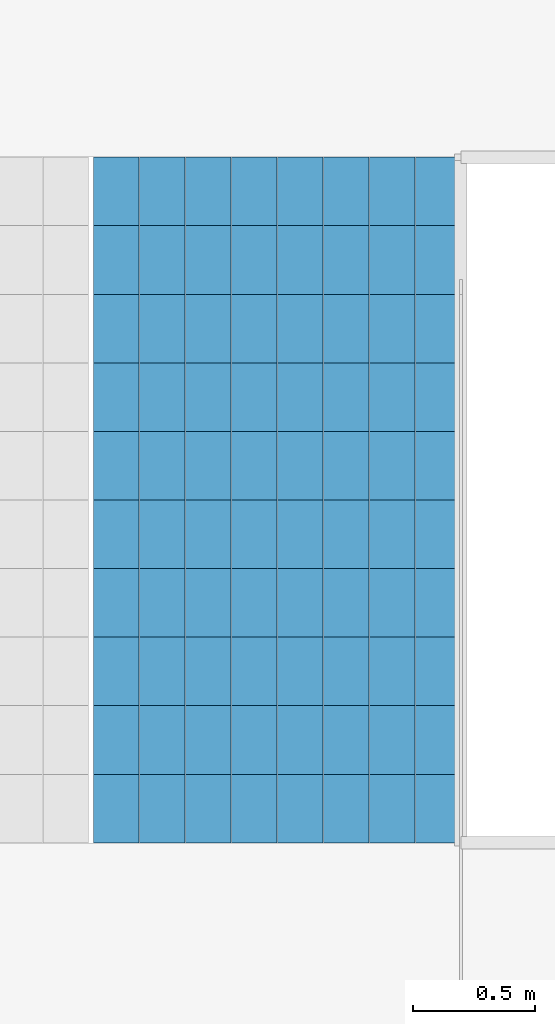
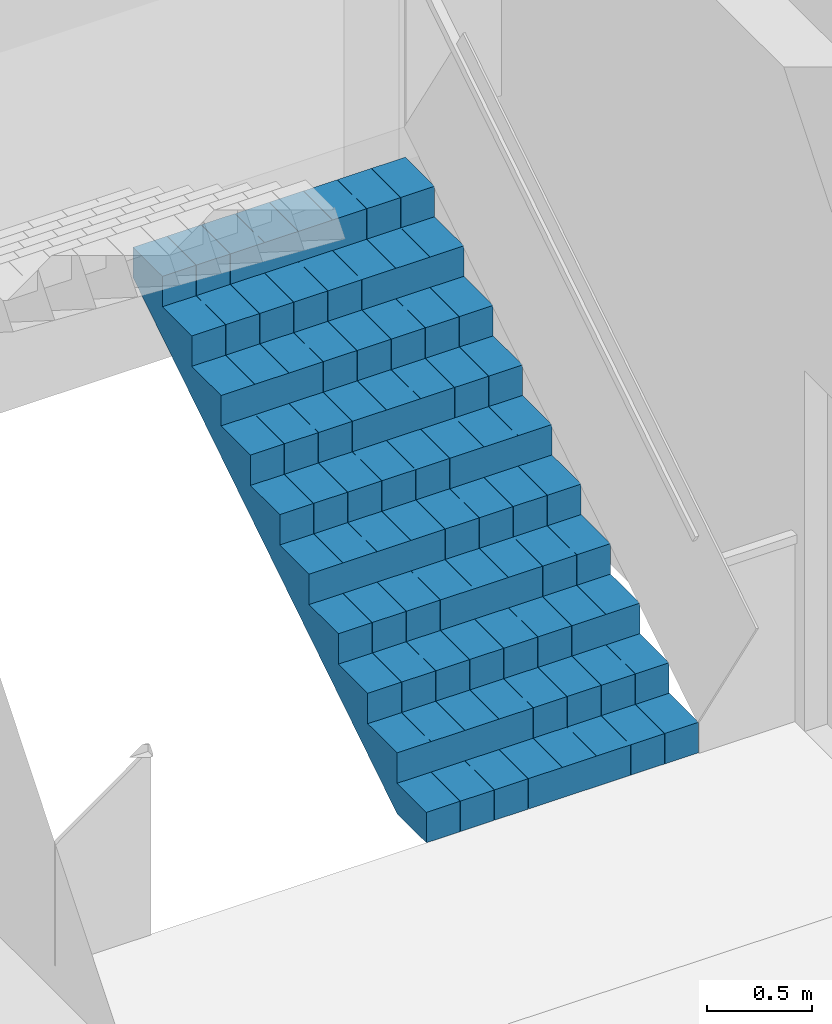
# One storey, part 12 of 14: 1 stair flight, 1 element without a shape of its own.
"""IFC4 building model written with IfcOpenShell, lengths in metres."""

from ifc_helpers import new_model, si_unit, direction, frame, origin, place, context, subcontext, project, spatial, polyline, outline, extrude, material, type_object, element, aggregate, save


model = new_model("IFC4")

# Units and contexts
model_context = context("Model", 3, precision=1e-05, world=origin(), true_north=direction((0.0, 1.0)))
body_context = subcontext(model_context, "Body", "Model", "MODEL_VIEW")
ifc_project = project(units=[si_unit("LENGTHUNIT", "METRE"), si_unit("AREAUNIT", "SQUARE_METRE"), si_unit("VOLUMEUNIT", "CUBIC_METRE"), si_unit("PLANEANGLEUNIT", "RADIAN"), si_unit("MASSUNIT", "GRAM", prefix="KILO")], contexts=[model_context])

# Site, building, storey
site_placement = place(None, origin())
site = spatial("IfcSite", under=ifc_project, at=site_placement, CompositionType="ELEMENT")
building_placement = place(site_placement, origin())
building = spatial("IfcBuilding", under=site, at=building_placement, Name="Kolab Exchange Tower", CompositionType="ELEMENT")
storey_placement = place(building_placement, frame((0.0, 0.0, 242.300048828125)))
storey = spatial("IfcBuildingStorey", under=building, at=storey_placement, Name="L53", CompositionType="ELEMENT", Elevation=242.300048828125)

# Stair, stair flight
ifc_material = material(Name="Concrete C50/60", Category="concrete")
stair_type = type_object("IfcStairType", Name="STAIR ST1 RISER 177.3", PredefinedType="HALF_TURN_STAIR", material=ifc_material)
stair_placement = place(storey_placement, origin())
stair = element("IfcStair", 1, at=stair_placement, inside=storey, type_object=stair_type, Name="Stair 1", PredefinedType="HALF_TURN_STAIR")
stair_flight_type = type_object("IfcStairFlightType", Name="STAIR FLIGHT 1500 RISER 177.3", PredefinedType="STRAIGHT", material=ifc_material)
stair_flight_placement = place(storey_placement, frame((-6.527587890625, 5.550048828125, 0.0), z_axis=(0.0, 0.0, 1.0), x_axis=(0.0, 1.0, 0.0)))
stair_flight = element("IfcStairFlight", 2, at=stair_flight_placement, type_object=stair_flight_type, Name="ST1 flight 1", NumberOfRisers=11, NumberOfTreads=10, PredefinedType="STRAIGHT", RiserHeight=0.177272727, TreadLength=0.28, context=body_context, shape_type="SweptSolid", body=[
    extrude(outline(polyline([(0.0, 0.0), (0.0, 0.17724609375), (0.280029296875, 0.17724609375), (0.280029296875, 0.3544921875), (0.56005859375, 0.3544921875), (0.56005859375, 0.53173828125), (0.840087890625, 0.53173828125), (0.840087890625, 0.708984375), (1.1201171875, 0.708984375), (1.1201171875, 0.886474609375), (1.39990234375, 0.886474609375), (1.39990234375, 1.063720703125), (1.679931640625, 1.063720703125), (1.679931640625, 1.240966796875), (1.9599609375, 1.240966796875), (1.9599609375, 1.418212890625), (2.239990234375, 1.418212890625), (2.239990234375, 1.595458984375), (2.52001953125, 1.595458984375), (2.52001953125, 1.772705078125), (2.800048828125, 1.772705078125), (2.800048828125, 1.949951171875), (2.800048828125, 1.59521484375), (0.2802734375, 0.0), (0.0, 0.0)])), frame((0.0, 0.75, 0.0), z_axis=(0.0, -1.0, 0.0), x_axis=(1.0, 0.0, 0.0)), (0.0, 0.0, 1.0), 0.185791015625),
    extrude(outline(polyline([(0.0, 0.0), (0.0, 0.17724609375), (0.280029296875, 0.17724609375), (0.280029296875, 0.3544921875), (0.56005859375, 0.3544921875), (0.56005859375, 0.53173828125), (0.840087890625, 0.53173828125), (0.840087890625, 0.708984375), (1.1201171875, 0.708984375), (1.1201171875, 0.886474609375), (1.39990234375, 0.886474609375), (1.39990234375, 1.063720703125), (1.679931640625, 1.063720703125), (1.679931640625, 1.240966796875), (1.9599609375, 1.240966796875), (1.9599609375, 1.418212890625), (2.239990234375, 1.418212890625), (2.239990234375, 1.595458984375), (2.52001953125, 1.595458984375), (2.52001953125, 1.772705078125), (2.800048828125, 1.772705078125), (2.800048828125, 1.949951171875), (2.800048828125, 1.59521484375), (0.2802734375, 0.0), (0.0, 0.0)])), frame((0.0, 0.562255859375, 0.0), z_axis=(0.0, -1.0, 0.0), x_axis=(1.0, 0.0, 0.0)), (0.0, 0.0, 1.0), 0.185791015625),
    extrude(outline(polyline([(0.0, 0.0), (0.0, 0.17724609375), (0.280029296875, 0.17724609375), (0.280029296875, 0.3544921875), (0.56005859375, 0.3544921875), (0.56005859375, 0.53173828125), (0.840087890625, 0.53173828125), (0.840087890625, 0.708984375), (1.1201171875, 0.708984375), (1.1201171875, 0.886474609375), (1.39990234375, 0.886474609375), (1.39990234375, 1.063720703125), (1.679931640625, 1.063720703125), (1.679931640625, 1.240966796875), (1.9599609375, 1.240966796875), (1.9599609375, 1.418212890625), (2.239990234375, 1.418212890625), (2.239990234375, 1.595458984375), (2.52001953125, 1.595458984375), (2.52001953125, 1.772705078125), (2.800048828125, 1.772705078125), (2.800048828125, 1.949951171875), (2.800048828125, 1.59521484375), (0.2802734375, 0.0), (0.0, 0.0)])), frame((0.0, 0.37451171875, 0.0), z_axis=(0.0, -1.0, 0.0), x_axis=(1.0, 0.0, 0.0)), (0.0, 0.0, 1.0), 0.185791015625),
    extrude(outline(polyline([(0.0, 0.0), (0.0, 0.17724609375), (0.280029296875, 0.17724609375), (0.280029296875, 0.3544921875), (0.56005859375, 0.3544921875), (0.56005859375, 0.53173828125), (0.840087890625, 0.53173828125), (0.840087890625, 0.708984375), (1.1201171875, 0.708984375), (1.1201171875, 0.886474609375), (1.39990234375, 0.886474609375), (1.39990234375, 1.063720703125), (1.679931640625, 1.063720703125), (1.679931640625, 1.240966796875), (1.9599609375, 1.240966796875), (1.9599609375, 1.418212890625), (2.239990234375, 1.418212890625), (2.239990234375, 1.595458984375), (2.52001953125, 1.595458984375), (2.52001953125, 1.772705078125), (2.800048828125, 1.772705078125), (2.800048828125, 1.949951171875), (2.800048828125, 1.59521484375), (0.2802734375, 0.0), (0.0, 0.0)])), frame((0.0, 0.186767578125, 0.0), z_axis=(0.0, -1.0, 0.0), x_axis=(1.0, 0.0, 0.0)), (0.0, 0.0, 1.0), 0.185791015625),
    extrude(outline(polyline([(0.0, 0.0), (0.0, 0.17724609375), (0.280029296875, 0.17724609375), (0.280029296875, 0.3544921875), (0.56005859375, 0.3544921875), (0.56005859375, 0.53173828125), (0.840087890625, 0.53173828125), (0.840087890625, 0.708984375), (1.1201171875, 0.708984375), (1.1201171875, 0.886474609375), (1.39990234375, 0.886474609375), (1.39990234375, 1.063720703125), (1.679931640625, 1.063720703125), (1.679931640625, 1.240966796875), (1.9599609375, 1.240966796875), (1.9599609375, 1.418212890625), (2.239990234375, 1.418212890625), (2.239990234375, 1.595458984375), (2.52001953125, 1.595458984375), (2.52001953125, 1.772705078125), (2.800048828125, 1.772705078125), (2.800048828125, 1.949951171875), (2.800048828125, 1.59521484375), (0.2802734375, 0.0), (0.0, 0.0)])), frame((0.0, -0.0009765625, 0.0), z_axis=(0.0, -1.0, 0.0), x_axis=(1.0, 0.0, 0.0)), (0.0, 0.0, 1.0), 0.185791015625),
    extrude(outline(polyline([(0.0, 0.0), (0.0, 0.17724609375), (0.280029296875, 0.17724609375), (0.280029296875, 0.3544921875), (0.56005859375, 0.3544921875), (0.56005859375, 0.53173828125), (0.840087890625, 0.53173828125), (0.840087890625, 0.708984375), (1.1201171875, 0.708984375), (1.1201171875, 0.886474609375), (1.39990234375, 0.886474609375), (1.39990234375, 1.063720703125), (1.679931640625, 1.063720703125), (1.679931640625, 1.240966796875), (1.9599609375, 1.240966796875), (1.9599609375, 1.418212890625), (2.239990234375, 1.418212890625), (2.239990234375, 1.595458984375), (2.52001953125, 1.595458984375), (2.52001953125, 1.772705078125), (2.800048828125, 1.772705078125), (2.800048828125, 1.949951171875), (2.800048828125, 1.59521484375), (0.2802734375, 0.0), (0.0, 0.0)])), frame((0.0, -0.188720703125, 0.0), z_axis=(0.0, -1.0, 0.0), x_axis=(1.0, 0.0, 0.0)), (0.0, 0.0, 1.0), 0.185791015625),
    extrude(outline(polyline([(0.0, 0.0), (0.0, 0.17724609375), (0.280029296875, 0.17724609375), (0.280029296875, 0.3544921875), (0.56005859375, 0.3544921875), (0.56005859375, 0.53173828125), (0.840087890625, 0.53173828125), (0.840087890625, 0.708984375), (1.1201171875, 0.708984375), (1.1201171875, 0.886474609375), (1.39990234375, 0.886474609375), (1.39990234375, 1.063720703125), (1.679931640625, 1.063720703125), (1.679931640625, 1.240966796875), (1.9599609375, 1.240966796875), (1.9599609375, 1.418212890625), (2.239990234375, 1.418212890625), (2.239990234375, 1.595458984375), (2.52001953125, 1.595458984375), (2.52001953125, 1.772705078125), (2.800048828125, 1.772705078125), (2.800048828125, 1.949951171875), (2.800048828125, 1.59521484375), (0.2802734375, 0.0), (0.0, 0.0)])), frame((0.0, -0.37646484375, 0.0), z_axis=(0.0, -1.0, 0.0), x_axis=(1.0, 0.0, 0.0)), (0.0, 0.0, 1.0), 0.185791015625),
    extrude(outline(polyline([(0.0, 0.0), (0.0, 0.17724609375), (0.280029296875, 0.17724609375), (0.280029296875, 0.3544921875), (0.56005859375, 0.3544921875), (0.56005859375, 0.53173828125), (0.840087890625, 0.53173828125), (0.840087890625, 0.708984375), (1.1201171875, 0.708984375), (1.1201171875, 0.886474609375), (1.39990234375, 0.886474609375), (1.39990234375, 1.063720703125), (1.679931640625, 1.063720703125), (1.679931640625, 1.240966796875), (1.9599609375, 1.240966796875), (1.9599609375, 1.418212890625), (2.239990234375, 1.418212890625), (2.239990234375, 1.595458984375), (2.52001953125, 1.595458984375), (2.52001953125, 1.772705078125), (2.800048828125, 1.772705078125), (2.800048828125, 1.949951171875), (2.800048828125, 1.59521484375), (0.2802734375, 0.0), (0.0, 0.0)])), frame((0.0, -0.564208984375, 0.0), z_axis=(0.0, -1.0, 0.0), x_axis=(1.0, 0.0, 0.0)), (0.0, 0.0, 1.0), 0.185791015625),
])
aggregate(stair, [stair_flight])

save(model, "model.ifc")
